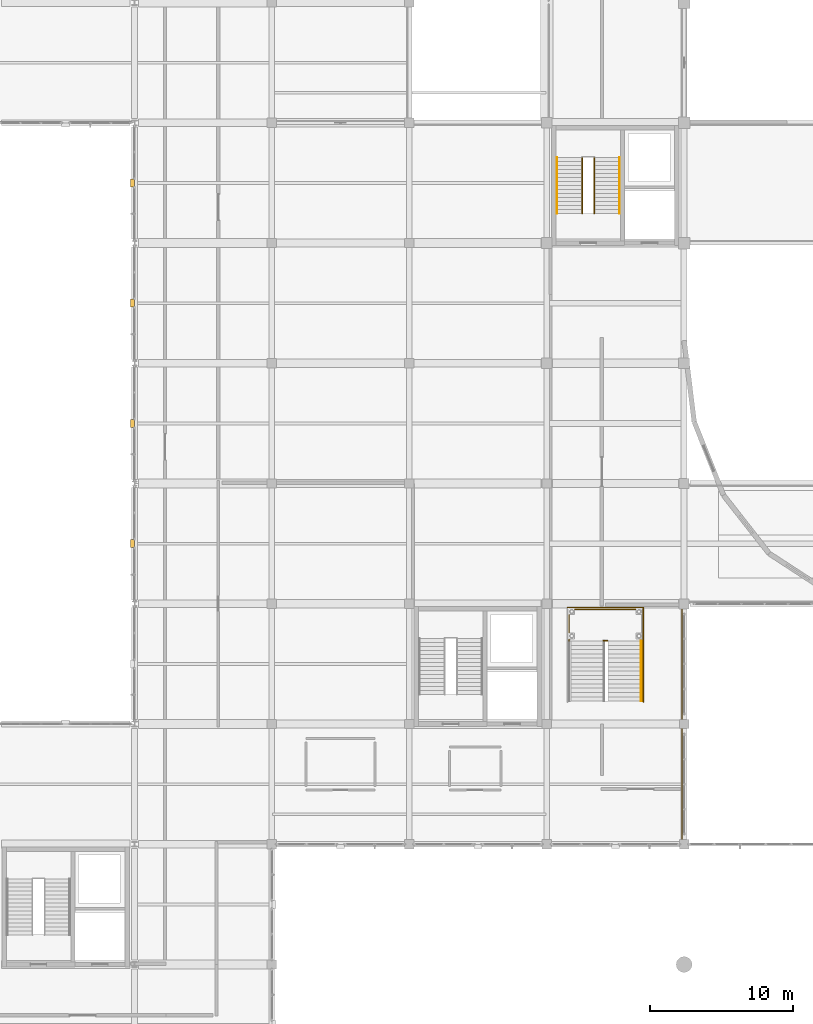
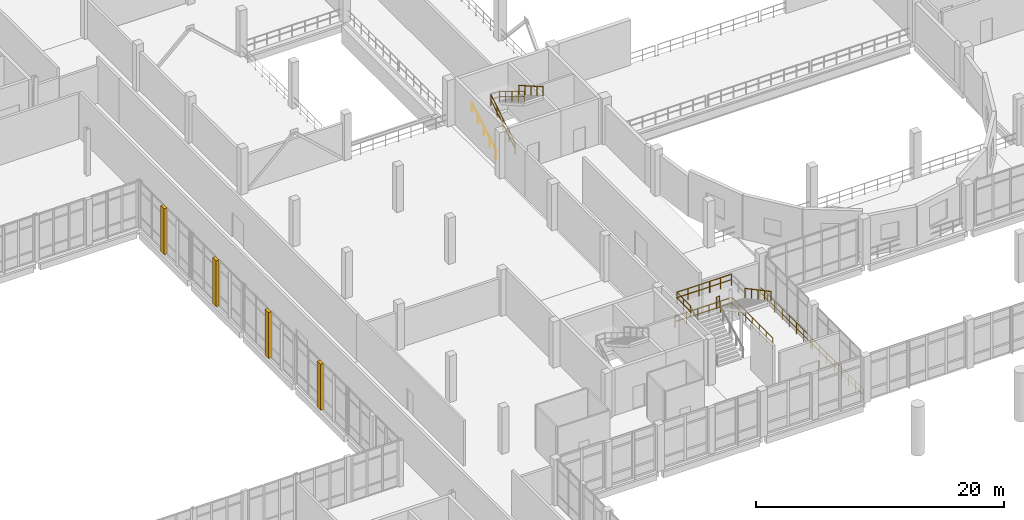
# One storey, part 97 of 102: 12 railings, 4 coverings.
"""IFC4 building model written with IfcOpenShell, lengths in metres."""

import ifcopenshell
import ifcopenshell.guid

model = None  # the IFC model being written
_history = None  # IfcOwnerHistory: only IFC2X3 demands one
_inside = {}  # id of a spatial element -> (the spatial element, [elements in it])
_under = {}  # id of a project, library or spatial element -> (it, [spatial elements below it])
_declared = {}  # id of a project -> (the project, [libraries it declares])
_typed = {}  # id of a type object -> (the type object, [elements of that type])
_made_of = {}  # id of a material, layer set ... -> (it, [elements and type objects made of it])


def new_model(schema):
    """Start an empty IFC model of exactly this schema.

    Asked for "IFC4X3", IfcOpenShell would pick the latest addendum, in which some entities
    have other attributes; the version numbers below select the first issue.
    IFC2X3 requires an IfcOwnerHistory on every rooted entity: one is made here for all.
    """
    global model, _history
    if schema == "IFC4X3":
        model = ifcopenshell.file(schema_version=(4, 3, 0, 0))
    else:
        model = ifcopenshell.file(schema=schema)
    _inside.clear()
    _under.clear()
    _declared.clear()
    _typed.clear()
    _made_of.clear()
    _history = None
    if model.schema == "IFC2X3":
        org = make("IfcOrganization", Name="unknown")
        user = make(
            "IfcPersonAndOrganization",
            ThePerson=make("IfcPerson", FamilyName="unknown"),
            TheOrganization=org,
        )
        app = make(
            "IfcApplication",
            ApplicationDeveloper=org,
            Version="unknown",
            ApplicationFullName="unknown",
            ApplicationIdentifier="unknown",
        )
        _history = make(
            "IfcOwnerHistory",
            OwningUser=user,
            OwningApplication=app,
            ChangeAction="ADDED",
            CreationDate=0,
        )
    return model


def make(cls, **values):
    """One entity of the class cls with the attributes given. An attribute that is None is left unset."""
    return model.create_entity(
        cls, **{name: value for name, value in values.items() if value is not None}
    )


def rooted(cls, **values):
    """An entity with a GlobalId (a new one), such as an element, a storey or a relation."""
    return make(cls, GlobalId=ifcopenshell.guid.new(), OwnerHistory=_history, **values)


def si_unit(unit_type, name, prefix=None):
    """IfcSIUnit, for example si_unit("LENGTHUNIT", "METRE", prefix="MILLI")."""
    return make("IfcSIUnit", UnitType=unit_type, Prefix=prefix, Name=name)


def assignment(units):
    """IfcUnitAssignment: the units of a project."""
    return None if units is None else make("IfcUnitAssignment", Units=units)


def point(xyz):
    """IfcCartesianPoint."""
    return None if xyz is None else make("IfcCartesianPoint", Coordinates=xyz)


def direction(xyz):
    """IfcDirection."""
    return None if xyz is None else make("IfcDirection", DirectionRatios=xyz)


def frame(location, z_axis=None, x_axis=None):
    """IfcAxis2Placement3D, a coordinate frame: its origin and axes. An axis left out is left unset."""
    return make(
        "IfcAxis2Placement3D",
        Location=point(location),
        Axis=direction(z_axis),
        RefDirection=direction(x_axis),
    )


def frame_2d(location, x_axis=None):
    """IfcAxis2Placement2D, a coordinate frame in the plane: its origin and x axis."""
    return make(
        "IfcAxis2Placement2D", Location=point(location), RefDirection=direction(x_axis)
    )


def origin():
    """The frame at (0, 0, 0) with its axes left unset."""
    return frame((0.0, 0.0, 0.0))


def origin_2d():
    """The frame at (0, 0) in the plane with its x axis left unset."""
    return frame_2d((0.0, 0.0))


def place(relative_to, where):
    """IfcLocalPlacement: puts the frame where relative to a parent placement (None: the world)."""
    return make(
        "IfcLocalPlacement", PlacementRelTo=relative_to, RelativePlacement=where
    )


def context(
    kind, dimensions, precision=None, world=None, true_north=None, identifier=None
):
    """IfcGeometricRepresentationContext, for example the 3D "Model" context."""
    return make(
        "IfcGeometricRepresentationContext",
        ContextIdentifier=identifier,
        ContextType=kind,
        CoordinateSpaceDimension=dimensions,
        Precision=precision,
        WorldCoordinateSystem=world,
        TrueNorth=true_north,
    )


def subcontext(parent, identifier, kind, view, scale=None):
    """IfcGeometricRepresentationSubContext, for example "Body" below "Model"."""
    return make(
        "IfcGeometricRepresentationSubContext",
        ContextIdentifier=identifier,
        ContextType=kind,
        ParentContext=parent,
        TargetScale=scale,
        TargetView=view,
    )


def project(units=None, contexts=None):
    """IfcProject with its units and contexts."""
    return rooted(
        "IfcProject",
        Name="project",
        RepresentationContexts=contexts,
        UnitsInContext=assignment(units),
    )


def spatial(cls, under=None, at=None, **own):
    """A site, building, storey or space (cls), placed at a placement, below another one or the project."""
    s = rooted(cls, ObjectPlacement=at, **own)
    if under is not None:
        _under.setdefault(under.id(), (under, []))[1].append(s)
    return s


def polyline(points):
    """IfcPolyline through the points."""
    return make("IfcPolyline", Points=[point(p) for p in points])


def profile(cls, at=None, kind="AREA", **sizes):
    """A parametric profile (cls). Its sizes go by their IFC names, for example OverallWidth=200.0."""
    return make(cls, ProfileType=kind, Position=at, **sizes)


def circle(**sizes):
    """IfcCircleProfileDef."""
    return profile("IfcCircleProfileDef", **sizes)


def outline(outer, holes=None, kind="AREA"):
    """IfcArbitraryClosedProfileDef: a profile drawn as a closed curve; with holes, ...WithVoids."""
    if holes is None:
        return make("IfcArbitraryClosedProfileDef", ProfileType=kind, OuterCurve=outer)
    return make(
        "IfcArbitraryProfileDefWithVoids",
        ProfileType=kind,
        OuterCurve=outer,
        InnerCurves=holes,
    )


def extrude(swept, where, along, depth):
    """IfcExtrudedAreaSolid: the profile swept, set in the frame where, extruded along a direction by depth."""
    return make(
        "IfcExtrudedAreaSolid",
        SweptArea=swept,
        Position=where,
        ExtrudedDirection=direction(along),
        Depth=depth,
    )


def shape(context_of_items, identifier, shape_type, items):
    """IfcShapeRepresentation: the items that make up one representation, for example the "Body"."""
    return make(
        "IfcShapeRepresentation",
        ContextOfItems=context_of_items,
        RepresentationIdentifier=identifier,
        RepresentationType=shape_type,
        Items=items,
    )


def material(Name=None, Category=None):
    """IfcMaterial."""
    return make("IfcMaterial", Name=Name, Category=Category)


def layer(
    of_material, thickness, ventilated=None, Name=None, Category=None, Priority=None
):
    """IfcMaterialLayer: one layer of a wall or slab, of a material (None: an air gap)."""
    return make(
        "IfcMaterialLayer",
        Material=of_material,
        LayerThickness=thickness,
        IsVentilated=ventilated,
        Name=Name,
        Category=Category,
        Priority=Priority,
    )


def layer_set(layers, Name=None):
    """IfcMaterialLayerSet."""
    return make("IfcMaterialLayerSet", MaterialLayers=layers, LayerSetName=Name)


def made_of(thing, what):
    """Note that an element or type object is made of a material, layer set ...; save() writes the relation."""
    if what is not None:
        _made_of.setdefault(what.id(), (what, []))[1].append(thing)
    return thing


def type_object(cls, material=None, **own):
    """A type object (cls), such as IfcWallType, which elements share."""
    return made_of(rooted(cls, **own), material)


def element(
    cls,
    number,
    at=None,
    inside=None,
    cuts=None,
    type_object=None,
    material=None,
    context=None,
    identifier="Body",
    shape_type=None,
    held_by="IfcProductDefinitionShape",
    body=None,
    shapes=None,
    **own,
):
    """One element of the class cls, such as IfcWall. Its Tag is "e" and its number.

    at: its placement. inside: the storey or other place that contains it. cuts: it is an
    opening in that element (IfcRelVoidsElement). A single representation is given by context,
    identifier, shape_type and body (its items); several are given by shapes. held_by: the class
    of the entity that holds the representations. save() writes the other relations.
    """
    e = rooted(cls, Tag="e%d" % number, ObjectPlacement=at, **own)
    if body is not None:
        shapes = [shape(context, identifier, shape_type, body)]
    if shapes is not None:
        e.Representation = make(held_by, Representations=shapes)
    if inside is not None:
        _inside.setdefault(inside.id(), (inside, []))[1].append(e)
    if cuts is not None:
        rooted(
            "IfcRelVoidsElement", RelatingBuildingElement=cuts, RelatedOpeningElement=e
        )
    if type_object is not None:
        _typed.setdefault(type_object.id(), (type_object, []))[1].append(e)
    return made_of(e, material)


def aggregate(whole, parts):
    """IfcRelAggregates: a whole, such as a stair, and the parts it consists of."""
    return rooted("IfcRelAggregates", RelatingObject=whole, RelatedObjects=parts)


def save(model, path):
    """Write the relations noted so far, then the file.

    IfcRelAggregates (storeys below a building ...), IfcRelContainedInSpatialStructure (elements
    in a storey), IfcRelDefinesByType, IfcRelAssociatesMaterial and IfcRelDeclares: one each for
    every whole, place, type object, material and project.
    """
    for whole, parts in _under.values():
        aggregate(whole, parts)
    for where, things in _inside.values():
        rooted(
            "IfcRelContainedInSpatialStructure",
            RelatedElements=things,
            RelatingStructure=where,
        )
    for kind, things in _typed.values():
        rooted("IfcRelDefinesByType", RelatedObjects=things, RelatingType=kind)
    for what, things in _made_of.values():
        rooted("IfcRelAssociatesMaterial", RelatedObjects=things, RelatingMaterial=what)
    for by, libraries in _declared.values():
        rooted("IfcRelDeclares", RelatingContext=by, RelatedDefinitions=libraries)
    model.write(path)


model = new_model("IFC4")

# Units and contexts
model_context = context("Model", 3, precision=1e-05, world=origin(), true_north=direction((0.0, 1.0)))
body_context = subcontext(model_context, "Body", "Model", "MODEL_VIEW")
ifc_project = project(units=[si_unit("LENGTHUNIT", "METRE"), si_unit("AREAUNIT", "SQUARE_METRE"), si_unit("VOLUMEUNIT", "CUBIC_METRE"), si_unit("PLANEANGLEUNIT", "RADIAN"), si_unit("MASSUNIT", "GRAM", prefix="KILO")], contexts=[model_context])

# Site, building, storey
site_placement = place(None, origin())
site = spatial("IfcSite", under=ifc_project, at=site_placement, CompositionType="ELEMENT")
building_placement = place(site_placement, origin())
building = spatial("IfcBuilding", under=site, at=building_placement, Name="Lornevale Opera House", CompositionType="ELEMENT")
storey_placement = place(building_placement, frame((0.0, 0.0, 5.39990234375)))
storey = spatial("IfcBuildingStorey", under=building, at=storey_placement, Name="L02", CompositionType="ELEMENT", Elevation=5.39990234375)

# Railings
ifc_material_1 = material(Name="Structural Steel CSA G40.21 Grade 350W (350 MPa)", Category="steel")
ifc_layer_1 = layer(ifc_material_1, 0.06005859375)
ifc_layer_set_1 = layer_set([ifc_layer_1], Name="Structural Steel CSA G40.21 Grade 350W (350 MPa)")
railing_type_1 = type_object("IfcRailingType", Name="Atrium Acoustic Balustrade 1120", PredefinedType="BALUSTRADE", material=ifc_layer_set_1)
railing_1_placement = place(storey_placement, frame((59.14990234375, 33.219970703125, 2.400146484375)))
element("IfcRailing", 1, at=railing_1_placement, inside=storey, type_object=railing_type_1, Name="Grand Stair Landing Guard 0214", PredefinedType="BALUSTRADE", context=body_context, shape_type="SweptSolid", body=[
    extrude(circle(Radius=0.02392578125, at=origin_2d()), frame((0.0, 0.0, 1.09619140625), z_axis=(1.0, 0.0, 0.0), x_axis=(0.0, 1.0, 0.0)), (0.0, 0.0, 1.0), 5.10009765625),
    extrude(circle(Radius=0.02392578125, at=origin_2d()), frame((0.0, 0.0, 0.56005859375), z_axis=(1.0, 0.0, 0.0), x_axis=(0.0, 1.0, 0.0)), (0.0, 0.0, 1.0), 5.10009765625),
    extrude(circle(Radius=0.02099609375, at=origin_2d()), origin(), (0.0, 0.0, 1.0), 1.072021484375),
    extrude(circle(Radius=0.02099609375, at=origin_2d()), frame((1.02001953125, 0.0, 0.0)), (0.0, 0.0, 1.0), 1.072021484375),
    extrude(circle(Radius=0.02099609375, at=origin_2d()), frame((2.0400390625, 0.0, 0.0)), (0.0, 0.0, 1.0), 1.072021484375),
    extrude(circle(Radius=0.02099609375, at=origin_2d()), frame((3.06005859375, 0.0, 0.0)), (0.0, 0.0, 1.0), 1.072021484375),
    extrude(circle(Radius=0.02099609375, at=origin_2d()), frame((4.080078125, 0.0, 0.0)), (0.0, 0.0, 1.0), 1.072021484375),
    extrude(circle(Radius=0.02099609375, at=origin_2d()), frame((5.10009765625, 0.0, 0.0)), (0.0, 0.0, 1.0), 1.072021484375),
])
railing_2_placement = place(storey_placement, frame((59.14990234375, 31.0, 2.400146484375)))
element("IfcRailing", 2, at=railing_2_placement, inside=storey, type_object=railing_type_1, Name="Grand Stair Landing Guard 0215", PredefinedType="BALUSTRADE", context=body_context, shape_type="SweptSolid", body=[
    extrude(circle(Radius=0.02392578125, at=origin_2d()), frame((0.0, 0.0, 1.09619140625), z_axis=(0.0, 1.0, 0.0), x_axis=(-1.0, 0.0, 0.0)), (0.0, 0.0, 1.0), 2.219970703125),
    extrude(circle(Radius=0.02392578125, at=origin_2d()), frame((0.0, 0.0, 0.56005859375), z_axis=(0.0, 1.0, 0.0), x_axis=(-1.0, 0.0, 0.0)), (0.0, 0.0, 1.0), 2.219970703125),
    extrude(circle(Radius=0.02099609375, at=origin_2d()), origin(), (0.0, 0.0, 1.0), 1.072021484375),
    extrude(circle(Radius=0.02099609375, at=origin_2d()), frame((0.0, 1.10986328125, 0.0)), (0.0, 0.0, 1.0), 1.072021484375),
    extrude(circle(Radius=0.02099609375, at=origin_2d()), frame((0.0, 2.219970703125, 0.0)), (0.0, 0.0, 1.0), 1.072021484375),
])
railing_3_placement = place(storey_placement, frame((61.550048828125, 31.02001953125, 2.400146484375)))
element("IfcRailing", 3, at=railing_3_placement, inside=storey, type_object=railing_type_1, Name="Grand Stair Landing Guard 0217", PredefinedType="BALUSTRADE", context=body_context, shape_type="SweptSolid", body=[
    extrude(circle(Radius=0.02392578125, at=origin_2d()), frame((0.0, 0.0, 1.09619140625), z_axis=(1.0, 0.0, 0.0), x_axis=(0.0, 1.0, 0.0)), (0.0, 0.0, 1.0), 0.300048828125),
    extrude(circle(Radius=0.02392578125, at=origin_2d()), frame((0.0, 0.0, 0.56005859375), z_axis=(1.0, 0.0, 0.0), x_axis=(0.0, 1.0, 0.0)), (0.0, 0.0, 1.0), 0.300048828125),
    extrude(circle(Radius=0.02099609375, at=origin_2d()), origin(), (0.0, 0.0, 1.0), 1.072021484375),
    extrude(circle(Radius=0.02099609375, at=origin_2d()), frame((0.300048828125, 0.0, 0.0)), (0.0, 0.0, 1.0), 1.072021484375),
])
railing_4_placement = place(storey_placement, frame((64.35009765625, 26.75, 0.0)))
element("IfcRailing", 4, at=railing_4_placement, inside=storey, type_object=railing_type_1, Name="Feature Stair Well Guard L02", PredefinedType="BALUSTRADE", context=body_context, shape_type="SweptSolid", body=[
    extrude(circle(Radius=0.02392578125, at=origin_2d()), frame((0.0, 0.0, 1.09619140625), z_axis=(0.0, 1.0, 0.0), x_axis=(-1.0, 0.0, 0.0)), (0.0, 0.0, 1.0), 6.60009765625),
    extrude(circle(Radius=0.02392578125, at=origin_2d()), frame((0.0, 0.0, 0.56005859375), z_axis=(0.0, 1.0, 0.0), x_axis=(-1.0, 0.0, 0.0)), (0.0, 0.0, 1.0), 6.60009765625),
    extrude(circle(Radius=0.02099609375, at=origin_2d()), origin(), (0.0, 0.0, 1.0), 1.072021484375),
    extrude(circle(Radius=0.02099609375, at=origin_2d()), frame((0.0, 1.10009765625, 0.0)), (0.0, 0.0, 1.0), 1.072021484375),
    extrude(circle(Radius=0.02099609375, at=origin_2d()), frame((0.0, 2.199951171875, 0.0)), (0.0, 0.0, 1.0), 1.072021484375),
    extrude(circle(Radius=0.02099609375, at=origin_2d()), frame((0.0, 3.300048828125, 0.0)), (0.0, 0.0, 1.0), 1.072021484375),
    extrude(circle(Radius=0.02099609375, at=origin_2d()), frame((0.0, 4.400146484375, 0.0)), (0.0, 0.0, 1.0), 1.072021484375),
    extrude(circle(Radius=0.02099609375, at=origin_2d()), frame((0.0, 5.5, 0.0)), (0.0, 0.0, 1.0), 1.072021484375),
    extrude(circle(Radius=0.02099609375, at=origin_2d()), frame((0.0, 6.60009765625, 0.0)), (0.0, 0.0, 1.0), 1.072021484375),
])
railing_5_placement = place(storey_placement, frame((59.050048828125, 33.35009765625, 0.0)))
element("IfcRailing", 5, at=railing_5_placement, inside=storey, type_object=railing_type_1, Name="Feature Stair Well Guard L02", PredefinedType="BALUSTRADE", context=body_context, shape_type="SweptSolid", body=[
    extrude(circle(Radius=0.02392578125, at=origin_2d()), frame((0.0, 0.0, 1.09619140625), z_axis=(1.0, 0.0, 0.0), x_axis=(0.0, 1.0, 0.0)), (0.0, 0.0, 1.0), 5.300048828125),
    extrude(circle(Radius=0.02392578125, at=origin_2d()), frame((0.0, 0.0, 0.56005859375), z_axis=(1.0, 0.0, 0.0), x_axis=(0.0, 1.0, 0.0)), (0.0, 0.0, 1.0), 5.300048828125),
    extrude(circle(Radius=0.02099609375, at=origin_2d()), origin(), (0.0, 0.0, 1.0), 1.072021484375),
    extrude(circle(Radius=0.02099609375, at=origin_2d()), frame((1.06005859375, 0.0, 0.0)), (0.0, 0.0, 1.0), 1.072021484375),
    extrude(circle(Radius=0.02099609375, at=origin_2d()), frame((2.1201171875, 0.0, 0.0)), (0.0, 0.0, 1.0), 1.072021484375),
    extrude(circle(Radius=0.02099609375, at=origin_2d()), frame((3.179931640625, 0.0, 0.0)), (0.0, 0.0, 1.0), 1.072021484375),
    extrude(circle(Radius=0.02099609375, at=origin_2d()), frame((4.239990234375, 0.0, 0.0)), (0.0, 0.0, 1.0), 1.072021484375),
    extrude(circle(Radius=0.02099609375, at=origin_2d()), frame((5.300048828125, 0.0, 0.0)), (0.0, 0.0, 1.0), 1.072021484375),
])
railing_6_placement = place(storey_placement, frame((67.06005859375, 16.919921875, 0.0)))
element("IfcRailing", 6, at=railing_6_placement, inside=storey, type_object=railing_type_1, Name="Atrium & Bowl Balustrade L02 0313", PredefinedType="BALUSTRADE", context=body_context, shape_type="SweptSolid", body=[
    extrude(circle(Radius=0.02392578125, at=origin_2d()), frame((0.0, 0.0, 1.09619140625), z_axis=(0.0, 1.0, 0.0), x_axis=(-1.0, 0.0, 0.0)), (0.0, 0.0, 1.0), 8.16015625),
    extrude(circle(Radius=0.02392578125, at=origin_2d()), frame((0.0, 0.0, 0.56005859375), z_axis=(0.0, 1.0, 0.0), x_axis=(-1.0, 0.0, 0.0)), (0.0, 0.0, 1.0), 8.16015625),
    extrude(circle(Radius=0.02099609375, at=origin_2d()), origin(), (0.0, 0.0, 1.0), 1.072021484375),
    extrude(circle(Radius=0.02099609375, at=origin_2d()), frame((0.0, 1.165771484375, 0.0)), (0.0, 0.0, 1.0), 1.072021484375),
    extrude(circle(Radius=0.02099609375, at=origin_2d()), frame((0.0, 2.33154296875, 0.0)), (0.0, 0.0, 1.0), 1.072021484375),
    extrude(circle(Radius=0.02099609375, at=origin_2d()), frame((0.0, 3.497314453125, 0.0)), (0.0, 0.0, 1.0), 1.072021484375),
    extrude(circle(Radius=0.02099609375, at=origin_2d()), frame((0.0, 4.662841796875, 0.0)), (0.0, 0.0, 1.0), 1.072021484375),
    extrude(circle(Radius=0.02099609375, at=origin_2d()), frame((0.0, 5.82861328125, 0.0)), (0.0, 0.0, 1.0), 1.072021484375),
    extrude(circle(Radius=0.02099609375, at=origin_2d()), frame((0.0, 6.994384765625, 0.0)), (0.0, 0.0, 1.0), 1.072021484375),
    extrude(circle(Radius=0.02099609375, at=origin_2d()), frame((0.0, 8.16015625, 0.0)), (0.0, 0.0, 1.0), 1.072021484375),
])
railing_7_placement = place(storey_placement, frame((67.06005859375, 25.320068359375, 0.0)))
element("IfcRailing", 7, at=railing_7_placement, inside=storey, type_object=railing_type_1, Name="Atrium & Bowl Balustrade L02 0314", PredefinedType="BALUSTRADE", context=body_context, shape_type="SweptSolid", body=[
    extrude(circle(Radius=0.02392578125, at=origin_2d()), frame((0.0, 0.0, 1.09619140625), z_axis=(0.0, 1.0, 0.0), x_axis=(-1.0, 0.0, 0.0)), (0.0, 0.0, 1.0), 8.159912109375),
    extrude(circle(Radius=0.02392578125, at=origin_2d()), frame((0.0, 0.0, 0.56005859375), z_axis=(0.0, 1.0, 0.0), x_axis=(-1.0, 0.0, 0.0)), (0.0, 0.0, 1.0), 8.159912109375),
    extrude(circle(Radius=0.02099609375, at=origin_2d()), origin(), (0.0, 0.0, 1.0), 1.072021484375),
    extrude(circle(Radius=0.02099609375, at=origin_2d()), frame((0.0, 1.165771484375, 0.0)), (0.0, 0.0, 1.0), 1.072021484375),
    extrude(circle(Radius=0.02099609375, at=origin_2d()), frame((0.0, 2.331298828125, 0.0)), (0.0, 0.0, 1.0), 1.072021484375),
    extrude(circle(Radius=0.02099609375, at=origin_2d()), frame((0.0, 3.4970703125, 0.0)), (0.0, 0.0, 1.0), 1.072021484375),
    extrude(circle(Radius=0.02099609375, at=origin_2d()), frame((0.0, 4.662841796875, 0.0)), (0.0, 0.0, 1.0), 1.072021484375),
    extrude(circle(Radius=0.02099609375, at=origin_2d()), frame((0.0, 5.82861328125, 0.0)), (0.0, 0.0, 1.0), 1.072021484375),
    extrude(circle(Radius=0.02099609375, at=origin_2d()), frame((0.0, 6.994140625, 0.0)), (0.0, 0.0, 1.0), 1.072021484375),
    extrude(circle(Radius=0.02099609375, at=origin_2d()), frame((0.0, 8.159912109375, 0.0)), (0.0, 0.0, 1.0), 1.072021484375),
])

# Coverings
ifc_material_2 = material(Name="Precast Concrete 40 MPa (CSA A23.1 C-1)", Category="concrete")
ifc_layer_2 = layer(ifc_material_2, 0.260009765625)
ifc_layer_set_2 = layer_set([ifc_layer_2], Name="Precast Concrete 40 MPa (CSA A23.1 C-1)")
covering_type = type_object("IfcCoveringType", Name="Postmodern Sandstone Pilaster Rib", PredefinedType="CLADDING", material=ifc_layer_set_2)
covering_1_placement = place(storey_placement, origin())
element("IfcCovering", 8, at=covering_1_placement, inside=storey, type_object=covering_type, Name="Postmodern Sandstone Mullion Pier 0208", PredefinedType="CLADDING", context=body_context, shape_type="SweptSolid", body=[
    extrude(outline(polyline([(28.800048828125, 37.52001953125), (28.800048828125, 38.080078125), (28.52001953125, 38.080078125), (28.52001953125, 37.52001953125), (28.800048828125, 37.52001953125)])), origin(), (0.0, 0.0, 1.0), 4.52001953125),
])
covering_2_placement = place(storey_placement, origin())
element("IfcCovering", 9, at=covering_2_placement, inside=storey, type_object=covering_type, Name="Postmodern Sandstone Mullion Pier 0209", PredefinedType="CLADDING", context=body_context, shape_type="SweptSolid", body=[
    extrude(outline(polyline([(28.800048828125, 45.919921875), (28.800048828125, 46.47998046875), (28.52001953125, 46.47998046875), (28.52001953125, 45.919921875), (28.800048828125, 45.919921875)])), origin(), (0.0, 0.0, 1.0), 4.52001953125),
])
covering_3_placement = place(storey_placement, origin())
element("IfcCovering", 10, at=covering_3_placement, inside=storey, type_object=covering_type, Name="Postmodern Sandstone Mullion Pier 0210", PredefinedType="CLADDING", context=body_context, shape_type="SweptSolid", body=[
    extrude(outline(polyline([(28.800048828125, 54.320068359375), (28.800048828125, 54.8798828125), (28.52001953125, 54.8798828125), (28.52001953125, 54.320068359375), (28.800048828125, 54.320068359375)])), origin(), (0.0, 0.0, 1.0), 4.52001953125),
])
covering_4_placement = place(storey_placement, origin())
element("IfcCovering", 11, at=covering_4_placement, inside=storey, type_object=covering_type, Name="Postmodern Sandstone Mullion Pier 0211", PredefinedType="CLADDING", context=body_context, shape_type="SweptSolid", body=[
    extrude(outline(polyline([(28.800048828125, 62.719970703125), (28.800048828125, 63.280029296875), (28.52001953125, 63.280029296875), (28.52001953125, 62.719970703125), (28.800048828125, 62.719970703125)])), origin(), (0.0, 0.0, 1.0), 4.52001953125),
])

# Railings
ifc_layer_3 = layer(ifc_material_1, 0.050048828125)
ifc_layer_set_3 = layer_set([ifc_layer_3], Name="Structural Steel CSA G40.21 Grade 350W (350 MPa)")
railing_type_2 = type_object("IfcRailingType", Name="Stair Well Guardrail 1100", PredefinedType="GUARDRAIL", material=ifc_layer_set_3)
railing_8_placement = place(storey_placement, frame((60.080078125, 60.860107421875, 0.0)))
element("IfcRailing", 12, at=railing_8_placement, inside=storey, type_object=railing_type_2, Name="ST-17 Inner Well Guard F1", PredefinedType="GUARDRAIL", context=body_context, shape_type="SweptSolid", body=[
    extrude(circle(Radius=0.02392578125, at=origin_2d()), frame((0.0, 0.0, 1.076171875), z_axis=(0.0, 0.852832477147, 0.522184609045), x_axis=(-1.0, 0.0, 0.0)), (0.0, 0.0, 1.0), 4.596435546875),
    extrude(circle(Radius=0.02392578125, at=origin_2d()), frame((0.0, 0.0, 0.550048828125), z_axis=(0.0, 0.852832477147, 0.522184609045), x_axis=(-1.0, 0.0, 0.0)), (0.0, 0.0, 1.0), 4.596435546875),
    extrude(circle(Radius=0.02099609375, at=origin_2d()), origin(), (0.0, 0.0, 1.0), 1.052001953125),
    extrude(circle(Radius=0.02099609375, at=origin_2d()), frame((0.0, 0.97998046875, 0.60009765625)), (0.0, 0.0, 1.0), 1.052001953125),
    extrude(circle(Radius=0.02099609375, at=origin_2d()), frame((0.0, 1.9599609375, 1.2001953125)), (0.0, 0.0, 1.0), 1.052001953125),
    extrude(circle(Radius=0.02099609375, at=origin_2d()), frame((0.0, 2.93994140625, 1.800048828125)), (0.0, 0.0, 1.0), 1.052001953125),
    extrude(circle(Radius=0.02099609375, at=origin_2d()), frame((0.0, 3.919921875, 2.400146484375)), (0.0, 0.0, 1.0), 1.052001953125),
])
railing_9_placement = place(storey_placement, frame((60.919921875, 64.780029296875, 2.400146484375)))
element("IfcRailing", 13, at=railing_9_placement, inside=storey, type_object=railing_type_2, Name="ST-17 Inner Well Guard F2", PredefinedType="GUARDRAIL", context=body_context, shape_type="SweptSolid", body=[
    extrude(circle(Radius=0.02392578125, at=origin_2d()), frame((0.0, 0.0, 1.076171875), z_axis=(0.0, -0.852856131449, 0.522145974847), x_axis=(1.0, 0.0, 0.0)), (0.0, 0.0, 1.0), 4.59619140625),
    extrude(circle(Radius=0.02392578125, at=origin_2d()), frame((0.0, 0.0, 0.550048828125), z_axis=(0.0, -0.852856131449, 0.522145974847), x_axis=(1.0, 0.0, 0.0)), (0.0, 0.0, 1.0), 4.59619140625),
    extrude(circle(Radius=0.02099609375, at=origin_2d()), origin(), (0.0, 0.0, 1.0), 1.052001953125),
    extrude(circle(Radius=0.02099609375, at=origin_2d()), frame((0.0, -0.97998046875, 0.60009765625)), (0.0, 0.0, 1.0), 1.052001953125),
    extrude(circle(Radius=0.02099609375, at=origin_2d()), frame((0.0, -1.9599609375, 1.199951171875)), (0.0, 0.0, 1.0), 1.052001953125),
    extrude(circle(Radius=0.02099609375, at=origin_2d()), frame((0.0, -2.93994140625, 1.7998046875)), (0.0, 0.0, 1.0), 1.052001953125),
    extrude(circle(Radius=0.02099609375, at=origin_2d()), frame((0.0, -3.919921875, 2.39990234375)), (0.0, 0.0, 1.0), 1.052001953125),
])
ifc_layer_4 = layer(ifc_material_1, 0.048095703125)
ifc_layer_set_4 = layer_set([ifc_layer_4], Name="Structural Steel CSA G40.21 Grade 350W (350 MPa)")
railing_type_3 = type_object("IfcRailingType", Name="Tubular Stair Handrail 915", PredefinedType="HANDRAIL", material=ifc_layer_set_4)
railing_10_placement = place(storey_placement, frame((58.320068359375, 60.860107421875, 0.1630859375)))
element("IfcRailing", 14, at=railing_10_placement, inside=storey, type_object=railing_type_3, Name="ST-17 Outer Handrail F1", PredefinedType="HANDRAIL", context=body_context, shape_type="SweptSolid", body=[
    extrude(circle(Radius=0.02392578125, at=origin_2d()), frame((0.0, 0.0, 0.89111328125), z_axis=(0.0, 0.868239814368, 0.496144761885), x_axis=(-1.0, 0.0, 0.0)), (0.0, 0.0, 1.0), 4.514892578125),
    extrude(circle(Radius=0.02099609375, at=origin_2d()), origin(), (0.0, 0.0, 1.0), 0.866943359375),
    extrude(circle(Radius=0.02099609375, at=origin_2d()), frame((0.0, 0.97998046875, 0.56005859375)), (0.0, 0.0, 1.0), 0.866943359375),
    extrude(circle(Radius=0.02099609375, at=origin_2d()), frame((0.0, 1.9599609375, 1.1201171875)), (0.0, 0.0, 1.0), 0.866943359375),
    extrude(circle(Radius=0.02099609375, at=origin_2d()), frame((0.0, 2.93994140625, 1.679931640625)), (0.0, 0.0, 1.0), 0.866943359375),
    extrude(circle(Radius=0.02099609375, at=origin_2d()), frame((0.0, 3.919921875, 2.239990234375)), (0.0, 0.0, 1.0), 0.866943359375),
])
railing_11_placement = place(storey_placement, frame((62.679931640625, 64.780029296875, 2.56298828125)))
element("IfcRailing", 15, at=railing_11_placement, inside=storey, type_object=railing_type_3, Name="ST-17 Outer Handrail F2", PredefinedType="HANDRAIL", context=body_context, shape_type="SweptSolid", body=[
    extrude(circle(Radius=0.02392578125, at=origin_2d()), frame((0.0, 0.0, 0.89111328125), z_axis=(0.0, -0.868239814368, 0.496144761885), x_axis=(1.0, 0.0, 0.0)), (0.0, 0.0, 1.0), 4.514892578125),
    extrude(circle(Radius=0.02099609375, at=origin_2d()), origin(), (0.0, 0.0, 1.0), 0.866943359375),
    extrude(circle(Radius=0.02099609375, at=origin_2d()), frame((0.0, -0.97998046875, 0.56005859375)), (0.0, 0.0, 1.0), 0.866943359375),
    extrude(circle(Radius=0.02099609375, at=origin_2d()), frame((0.0, -1.9599609375, 1.1201171875)), (0.0, 0.0, 1.0), 0.866943359375),
    extrude(circle(Radius=0.02099609375, at=origin_2d()), frame((0.0, -2.93994140625, 1.679931640625)), (0.0, 0.0, 1.0), 0.866943359375),
    extrude(circle(Radius=0.02099609375, at=origin_2d()), frame((0.0, -3.919921875, 2.239990234375)), (0.0, 0.0, 1.0), 0.866943359375),
])
railing_12_placement = place(storey_placement, frame((64.199951171875, 31.0, 2.56298828125)))
element("IfcRailing", 16, at=railing_12_placement, inside=storey, type_object=railing_type_3, Name="Grand Stair Handrail 0213", PredefinedType="HANDRAIL", context=body_context, shape_type="SweptSolid", body=[
    extrude(circle(Radius=0.02392578125, at=origin_2d()), frame((0.0, 0.0, 0.89111328125), z_axis=(0.0, -0.882351521365, 0.470590897432), x_axis=(1.0, 0.0, 0.0)), (0.0, 0.0, 1.0), 4.760009765625),
    extrude(circle(Radius=0.02099609375, at=origin_2d()), origin(), (0.0, 0.0, 1.0), 0.866943359375),
    extrude(circle(Radius=0.02099609375, at=origin_2d()), frame((0.0, -1.050048828125, 0.56005859375)), (0.0, 0.0, 1.0), 0.866943359375),
    extrude(circle(Radius=0.02099609375, at=origin_2d()), frame((0.0, -2.10009765625, 1.1201171875)), (0.0, 0.0, 1.0), 0.866943359375),
    extrude(circle(Radius=0.02099609375, at=origin_2d()), frame((0.0, -3.14990234375, 1.679931640625)), (0.0, 0.0, 1.0), 0.866943359375),
    extrude(circle(Radius=0.02099609375, at=origin_2d()), frame((0.0, -4.199951171875, 2.239990234375)), (0.0, 0.0, 1.0), 0.866943359375),
])

save(model, "model.ifc")
